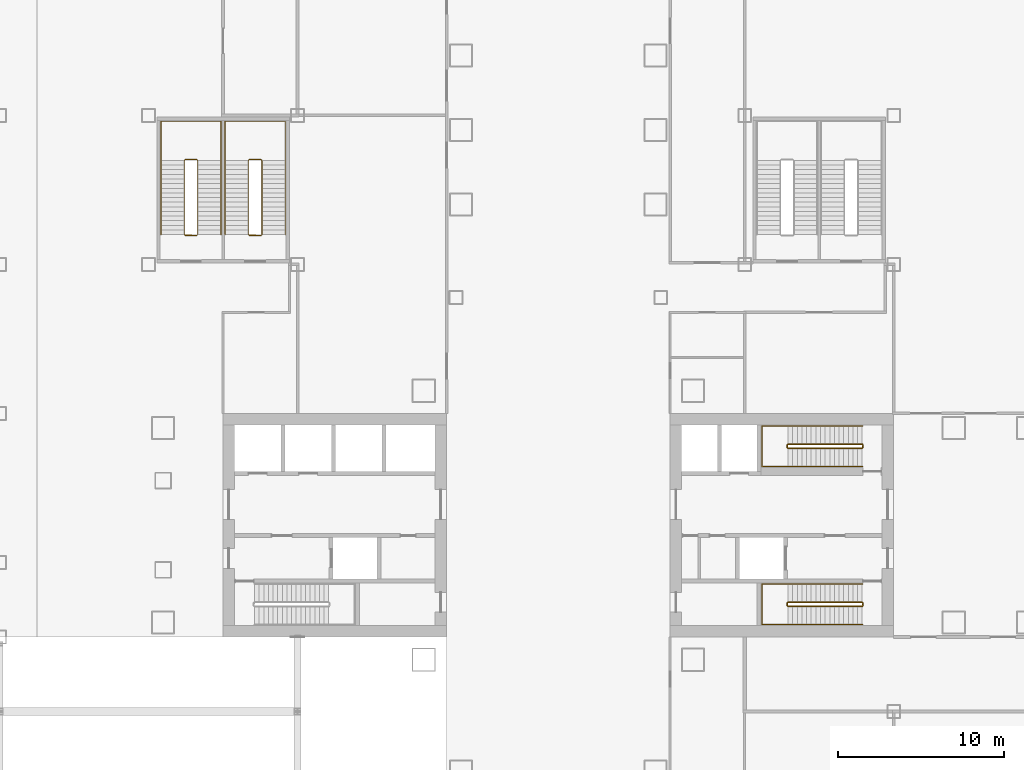
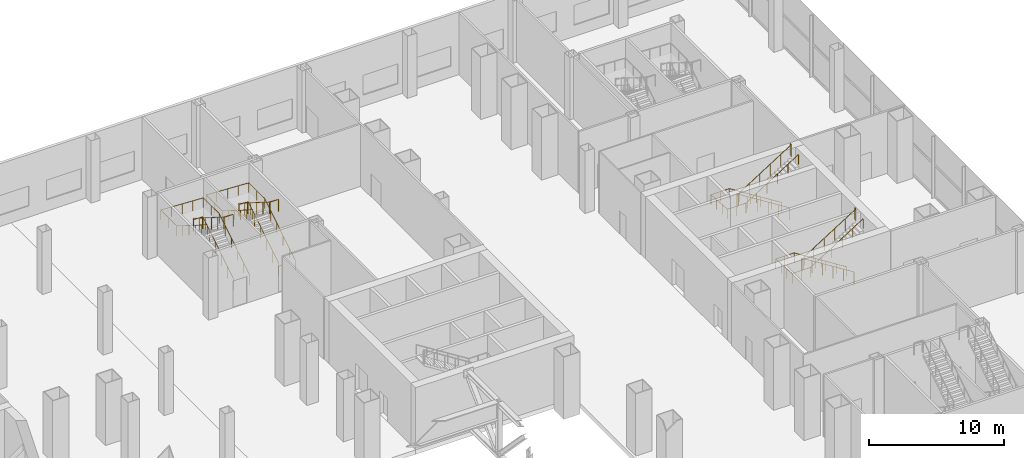
# One storey, part 32 of 33: 8 railings.
"""IFC4 building model written with IfcOpenShell, lengths in metres."""

from ifc_helpers import new_model, si_unit, direction, frame, origin, origin_2d, place, context, subcontext, project, spatial, circle, extrude, material, type_object, element, save


model = new_model("IFC4")

# Units and contexts
model_context = context("Model", 3, precision=1e-05, world=origin(), true_north=direction((0.0, 1.0)))
body_context = subcontext(model_context, "Body", "Model", "MODEL_VIEW")
ifc_project = project(units=[si_unit("LENGTHUNIT", "METRE"), si_unit("AREAUNIT", "SQUARE_METRE"), si_unit("VOLUMEUNIT", "CUBIC_METRE"), si_unit("PLANEANGLEUNIT", "RADIAN"), si_unit("MASSUNIT", "GRAM", prefix="KILO")], contexts=[model_context])

# Site, building, storey
site_placement = place(None, origin())
site = spatial("IfcSite", under=ifc_project, at=site_placement, CompositionType="ELEMENT")
building_placement = place(site_placement, origin())
building = spatial("IfcBuilding", under=site, at=building_placement, Name="Shamsa Quay Exchange Towers", CompositionType="ELEMENT")
storey_placement = place(building_placement, frame((0.0, 0.0, 6.5)))
storey = spatial("IfcBuildingStorey", under=building, at=storey_placement, Name="L01", CompositionType="ELEMENT", Elevation=6.5)

# Railings
ifc_material = material(Name="Stainless steel", Category="steel")
railing_type_1 = type_object("IfcRailingType", Name="STAIR GUARD 1100", PredefinedType="GUARDRAIL", material=ifc_material)
railing_1_placement = place(storey_placement, frame((52.10009765625, -4.64990234375, 0.176513671875)))
element("IfcRailing", 1, at=railing_1_placement, inside=storey, type_object=railing_type_1, Name="L01 ST5 stair guard 1", PredefinedType="GUARDRAIL", context=body_context, shape_type="SweptSolid", body=[
    extrude(circle(Radius=0.02392578125, at=origin_2d()), frame((0.0, 0.0, 1.076171875), z_axis=(-0.845997938375, 0.0, 0.533186166611), x_axis=(0.0, -1.0, 0.0)), (0.0, 0.0, 1.0), 5.29541015625),
    extrude(circle(Radius=0.02392578125, at=origin_2d()), frame((-4.47998046875, 0.0, 3.8994140625), z_axis=(-0.707106781187, -0.707106781187, 0.0), x_axis=(0.707106781187, -0.707106781187, 0.0)), (0.0, 0.0, 1.0), 0.07080078125),
    extrude(circle(Radius=0.02392578125, at=origin_2d()), frame((-4.530029296875, -0.050048828125, 3.8994140625), z_axis=(0.0, -1.0, 0.0), x_axis=(1.0, 0.0, 0.0)), (0.0, 0.0, 1.0), 0.150146484375),
    extrude(circle(Radius=0.02392578125, at=origin_2d()), frame((-4.530029296875, -0.2001953125, 3.8994140625), z_axis=(0.263260079301, -0.261975883792, 0.928473352853), x_axis=(0.705375805398, 0.708833529934, 0.0)), (0.0, 0.0, 1.0), 0.190185546875),
    extrude(circle(Radius=0.02392578125, at=origin_2d()), frame((-4.47998046875, -0.25, 4.076171875), z_axis=(0.845997938375, 0.0, 0.533186166611), x_axis=(0.0, 1.0, 0.0)), (0.0, 0.0, 1.0), 5.29541015625),
    extrude(circle(Radius=0.02392578125, at=origin_2d()), frame((0.0, -0.25, 6.8994140625), z_axis=(0.241699205484, 0.970351222016, 0.0), x_axis=(-0.970351222016, 0.241699205484, 0.0)), (0.0, 0.0, 1.0), 0.2060546875),
    extrude(circle(Radius=0.02392578125, at=origin_2d()), frame((0.0498046875, -0.050048828125, 6.8994140625), z_axis=(0.0, -1.0, 0.0), x_axis=(1.0, 0.0, 0.0)), (0.0, 0.0, 1.0), 0.150146484375),
    extrude(circle(Radius=0.02099609375, at=origin_2d()), origin(), (0.0, 0.0, 1.0), 1.052001953125),
    extrude(circle(Radius=0.02099609375, at=origin_2d()), frame((-0.89599609375, 0.0, 0.564697265625)), (0.0, 0.0, 1.0), 1.052001953125),
    extrude(circle(Radius=0.02099609375, at=origin_2d()), frame((-1.7919921875, 0.0, 1.12939453125)), (0.0, 0.0, 1.0), 1.052001953125),
    extrude(circle(Radius=0.02099609375, at=origin_2d()), frame((-2.68798828125, 0.0, 1.694091796875)), (0.0, 0.0, 1.0), 1.052001953125),
    extrude(circle(Radius=0.02099609375, at=origin_2d()), frame((-3.583984375, 0.0, 2.2587890625)), (0.0, 0.0, 1.0), 1.052001953125),
    extrude(circle(Radius=0.02099609375, at=origin_2d()), frame((-4.47998046875, 0.0, 2.823486328125)), (0.0, 0.0, 1.0), 1.052001953125),
    extrude(circle(Radius=0.02099609375, at=origin_2d()), frame((-4.530029296875, -0.050048828125, 2.823486328125)), (0.0, 0.0, 1.0), 1.052001953125),
    extrude(circle(Radius=0.02099609375, at=origin_2d()), frame((-4.530029296875, -0.2001953125, 2.823486328125)), (0.0, 0.0, 1.0), 1.052001953125),
    extrude(circle(Radius=0.02099609375, at=origin_2d()), frame((-4.47998046875, -0.25, 3.0)), (0.0, 0.0, 1.0), 1.052001953125),
    extrude(circle(Radius=0.02099609375, at=origin_2d()), frame((-3.583984375, -0.25, 3.564697265625)), (0.0, 0.0, 1.0), 1.052001953125),
    extrude(circle(Radius=0.02099609375, at=origin_2d()), frame((-2.68798828125, -0.25, 4.12939453125)), (0.0, 0.0, 1.0), 1.052001953125),
    extrude(circle(Radius=0.02099609375, at=origin_2d()), frame((-1.7919921875, -0.25, 4.694091796875)), (0.0, 0.0, 1.0), 1.052001953125),
    extrude(circle(Radius=0.02099609375, at=origin_2d()), frame((-0.89599609375, -0.25, 5.2587890625)), (0.0, 0.0, 1.0), 1.052001953125),
    extrude(circle(Radius=0.02099609375, at=origin_2d()), frame((0.0, -0.25, 5.823486328125)), (0.0, 0.0, 1.0), 1.052001953125),
    extrude(circle(Radius=0.02099609375, at=origin_2d()), frame((0.0498046875, -0.050048828125, 5.823486328125)), (0.0, 0.0, 1.0), 1.052001953125),
    extrude(circle(Radius=0.02099609375, at=origin_2d()), frame((0.0498046875, -0.2001953125, 5.823486328125)), (0.0, 0.0, 1.0), 1.052001953125),
])
railing_2_placement = place(storey_placement, frame((52.10009765625, 4.89990234375, 0.176513671875)))
element("IfcRailing", 2, at=railing_2_placement, inside=storey, type_object=railing_type_1, Name="L01 ST6 stair guard 1", PredefinedType="GUARDRAIL", context=body_context, shape_type="SweptSolid", body=[
    extrude(circle(Radius=0.02392578125, at=origin_2d()), frame((0.0, 0.0, 1.076171875), z_axis=(-0.845997938375, 0.0, 0.533186166611), x_axis=(0.0, -1.0, 0.0)), (0.0, 0.0, 1.0), 5.29541015625),
    extrude(circle(Radius=0.02392578125, at=origin_2d()), frame((-4.47998046875, 0.0, 3.8994140625), z_axis=(-0.708833529934, -0.705375805398, 0.0), x_axis=(0.705375805398, -0.708833529934, 0.0)), (0.0, 0.0, 1.0), 0.070556640625),
    extrude(circle(Radius=0.02392578125, at=origin_2d()), frame((-4.530029296875, -0.0498046875, 3.8994140625), z_axis=(0.0, -1.0, 0.0), x_axis=(1.0, 0.0, 0.0)), (0.0, 0.0, 1.0), 0.150146484375),
    extrude(circle(Radius=0.02392578125, at=origin_2d()), frame((-4.530029296875, -0.199951171875, 3.8994140625), z_axis=(0.263171338983, -0.263171338983, 0.928160380902), x_axis=(0.707106781187, 0.707106781187, 0.0)), (0.0, 0.0, 1.0), 0.190185546875),
    extrude(circle(Radius=0.02392578125, at=origin_2d()), frame((-4.47998046875, -0.25, 4.076171875), z_axis=(0.845997938375, 0.0, 0.533186166611), x_axis=(0.0, 1.0, 0.0)), (0.0, 0.0, 1.0), 5.29541015625),
    extrude(circle(Radius=0.02392578125, at=origin_2d()), frame((0.0, -0.25, 6.8994140625), z_axis=(0.24142163986, 0.970420317083, 0.0), x_axis=(-0.970420317083, 0.24142163986, 0.0)), (0.0, 0.0, 1.0), 0.206298828125),
    extrude(circle(Radius=0.02392578125, at=origin_2d()), frame((0.0498046875, -0.0498046875, 6.8994140625), z_axis=(0.0, -1.0, 0.0), x_axis=(1.0, 0.0, 0.0)), (0.0, 0.0, 1.0), 0.150146484375),
    extrude(circle(Radius=0.02099609375, at=origin_2d()), origin(), (0.0, 0.0, 1.0), 1.052001953125),
    extrude(circle(Radius=0.02099609375, at=origin_2d()), frame((-0.89599609375, 0.0, 0.564697265625)), (0.0, 0.0, 1.0), 1.052001953125),
    extrude(circle(Radius=0.02099609375, at=origin_2d()), frame((-1.7919921875, 0.0, 1.12939453125)), (0.0, 0.0, 1.0), 1.052001953125),
    extrude(circle(Radius=0.02099609375, at=origin_2d()), frame((-2.68798828125, 0.0, 1.694091796875)), (0.0, 0.0, 1.0), 1.052001953125),
    extrude(circle(Radius=0.02099609375, at=origin_2d()), frame((-3.583984375, 0.0, 2.2587890625)), (0.0, 0.0, 1.0), 1.052001953125),
    extrude(circle(Radius=0.02099609375, at=origin_2d()), frame((-4.47998046875, 0.0, 2.823486328125)), (0.0, 0.0, 1.0), 1.052001953125),
    extrude(circle(Radius=0.02099609375, at=origin_2d()), frame((-4.530029296875, -0.0498046875, 2.823486328125)), (0.0, 0.0, 1.0), 1.052001953125),
    extrude(circle(Radius=0.02099609375, at=origin_2d()), frame((-4.530029296875, -0.199951171875, 2.823486328125)), (0.0, 0.0, 1.0), 1.052001953125),
    extrude(circle(Radius=0.02099609375, at=origin_2d()), frame((-4.47998046875, -0.25, 3.0)), (0.0, 0.0, 1.0), 1.052001953125),
    extrude(circle(Radius=0.02099609375, at=origin_2d()), frame((-3.583984375, -0.25, 3.564697265625)), (0.0, 0.0, 1.0), 1.052001953125),
    extrude(circle(Radius=0.02099609375, at=origin_2d()), frame((-2.68798828125, -0.25, 4.12939453125)), (0.0, 0.0, 1.0), 1.052001953125),
    extrude(circle(Radius=0.02099609375, at=origin_2d()), frame((-1.7919921875, -0.25, 4.694091796875)), (0.0, 0.0, 1.0), 1.052001953125),
    extrude(circle(Radius=0.02099609375, at=origin_2d()), frame((-0.89599609375, -0.25, 5.2587890625)), (0.0, 0.0, 1.0), 1.052001953125),
    extrude(circle(Radius=0.02099609375, at=origin_2d()), frame((0.0, -0.25, 5.823486328125)), (0.0, 0.0, 1.0), 1.052001953125),
    extrude(circle(Radius=0.02099609375, at=origin_2d()), frame((0.0498046875, -0.0498046875, 5.823486328125)), (0.0, 0.0, 1.0), 1.052001953125),
    extrude(circle(Radius=0.02099609375, at=origin_2d()), frame((0.0498046875, -0.199951171875, 5.823486328125)), (0.0, 0.0, 1.0), 1.052001953125),
])
railing_3_placement = place(storey_placement, frame((11.97509765625, 17.550048828125, 0.176513671875)))
element("IfcRailing", 3, at=railing_3_placement, inside=storey, type_object=railing_type_1, Name="L01 PS3A stair guard 1", PredefinedType="GUARDRAIL", context=body_context, shape_type="SweptSolid", body=[
    extrude(circle(Radius=0.02392578125, at=origin_2d()), frame((0.0, 0.0, 1.076171875), z_axis=(0.0, 0.845997938375, 0.533186166611), x_axis=(-1.0, 0.0, 0.0)), (0.0, 0.0, 1.0), 5.29541015625),
    extrude(circle(Radius=0.02392578125, at=origin_2d()), frame((0.0, 4.47998046875, 3.8994140625), z_axis=(-0.707106781187, 0.707106781187, 0.0), x_axis=(-0.707106781187, -0.707106781187, 0.0)), (0.0, 0.0, 1.0), 0.07080078125),
    extrude(circle(Radius=0.02392578125, at=origin_2d()), frame((-0.050048828125, 4.530029296875, 3.8994140625), z_axis=(-1.0, 0.0, 0.0), x_axis=(0.0, -1.0, 0.0)), (0.0, 0.0, 1.0), 0.72509765625),
    extrude(circle(Radius=0.02392578125, at=origin_2d()), frame((-0.775146484375, 4.530029296875, 3.8994140625), z_axis=(-0.263171338983, -0.263171338983, 0.928160380902), x_axis=(0.707106781187, -0.707106781187, 0.0)), (0.0, 0.0, 1.0), 0.190185546875),
    extrude(circle(Radius=0.02392578125, at=origin_2d()), frame((-0.8251953125, 4.47998046875, 4.076171875), z_axis=(0.0, -0.845997938375, 0.533186166611), x_axis=(1.0, 0.0, 0.0)), (0.0, 0.0, 1.0), 5.29541015625),
    extrude(circle(Radius=0.02392578125, at=origin_2d()), frame((-0.8251953125, 0.0, 6.8994140625), z_axis=(0.997922050633, -0.064432762324, 0.0), x_axis=(0.064432762324, 0.997922050633, 0.0)), (0.0, 0.0, 1.0), 0.77685546875),
    extrude(circle(Radius=0.02392578125, at=origin_2d()), frame((-0.050048828125, -0.050048828125, 6.8994140625), z_axis=(-1.0, 0.0, 0.0), x_axis=(0.0, -1.0, 0.0)), (0.0, 0.0, 1.0), 0.72509765625),
    extrude(circle(Radius=0.02099609375, at=origin_2d()), origin(), (0.0, 0.0, 1.0), 1.052001953125),
    extrude(circle(Radius=0.02099609375, at=origin_2d()), frame((0.0, 0.89599609375, 0.564697265625)), (0.0, 0.0, 1.0), 1.052001953125),
    extrude(circle(Radius=0.02099609375, at=origin_2d()), frame((0.0, 1.7919921875, 1.12939453125)), (0.0, 0.0, 1.0), 1.052001953125),
    extrude(circle(Radius=0.02099609375, at=origin_2d()), frame((0.0, 2.68798828125, 1.694091796875)), (0.0, 0.0, 1.0), 1.052001953125),
    extrude(circle(Radius=0.02099609375, at=origin_2d()), frame((0.0, 3.583984375, 2.2587890625)), (0.0, 0.0, 1.0), 1.052001953125),
    extrude(circle(Radius=0.02099609375, at=origin_2d()), frame((0.0, 4.47998046875, 2.823486328125)), (0.0, 0.0, 1.0), 1.052001953125),
    extrude(circle(Radius=0.02099609375, at=origin_2d()), frame((-0.050048828125, 4.530029296875, 2.823486328125)), (0.0, 0.0, 1.0), 1.052001953125),
    extrude(circle(Radius=0.02099609375, at=origin_2d()), frame((-0.775146484375, 4.530029296875, 2.823486328125)), (0.0, 0.0, 1.0), 1.052001953125),
    extrude(circle(Radius=0.02099609375, at=origin_2d()), frame((-0.8251953125, 4.47998046875, 3.0)), (0.0, 0.0, 1.0), 1.052001953125),
    extrude(circle(Radius=0.02099609375, at=origin_2d()), frame((-0.8251953125, 3.583984375, 3.564697265625)), (0.0, 0.0, 1.0), 1.052001953125),
    extrude(circle(Radius=0.02099609375, at=origin_2d()), frame((-0.8251953125, 2.68798828125, 4.12939453125)), (0.0, 0.0, 1.0), 1.052001953125),
    extrude(circle(Radius=0.02099609375, at=origin_2d()), frame((-0.8251953125, 1.7919921875, 4.694091796875)), (0.0, 0.0, 1.0), 1.052001953125),
    extrude(circle(Radius=0.02099609375, at=origin_2d()), frame((-0.8251953125, 0.89599609375, 5.2587890625)), (0.0, 0.0, 1.0), 1.052001953125),
    extrude(circle(Radius=0.02099609375, at=origin_2d()), frame((-0.8251953125, 0.0, 5.823486328125)), (0.0, 0.0, 1.0), 1.052001953125),
    extrude(circle(Radius=0.02099609375, at=origin_2d()), frame((-0.050048828125, -0.050048828125, 5.823486328125)), (0.0, 0.0, 1.0), 1.052001953125),
    extrude(circle(Radius=0.02099609375, at=origin_2d()), frame((-0.775146484375, -0.050048828125, 5.823486328125)), (0.0, 0.0, 1.0), 1.052001953125),
])
railing_4_placement = place(storey_placement, frame((15.85009765625, 17.550048828125, 0.176513671875)))
element("IfcRailing", 4, at=railing_4_placement, inside=storey, type_object=railing_type_1, Name="L01 PS3B stair guard 1", PredefinedType="GUARDRAIL", context=body_context, shape_type="SweptSolid", body=[
    extrude(circle(Radius=0.02392578125, at=origin_2d()), frame((0.0, 0.0, 1.076171875), z_axis=(0.0, 0.845997938375, 0.533186166611), x_axis=(-1.0, 0.0, 0.0)), (0.0, 0.0, 1.0), 5.29541015625),
    extrude(circle(Radius=0.02392578125, at=origin_2d()), frame((0.0, 4.47998046875, 3.8994140625), z_axis=(-0.707106781187, 0.707106781187, 0.0), x_axis=(-0.707106781187, -0.707106781187, 0.0)), (0.0, 0.0, 1.0), 0.07080078125),
    extrude(circle(Radius=0.02392578125, at=origin_2d()), frame((-0.050048828125, 4.530029296875, 3.8994140625), z_axis=(-1.0, 0.0, 0.0), x_axis=(0.0, -1.0, 0.0)), (0.0, 0.0, 1.0), 0.72509765625),
    extrude(circle(Radius=0.02392578125, at=origin_2d()), frame((-0.775146484375, 4.530029296875, 3.8994140625), z_axis=(-0.263171338983, -0.263171338983, 0.928160380902), x_axis=(0.707106781187, -0.707106781187, 0.0)), (0.0, 0.0, 1.0), 0.190185546875),
    extrude(circle(Radius=0.02392578125, at=origin_2d()), frame((-0.8251953125, 4.47998046875, 4.076171875), z_axis=(0.0, -0.845997938375, 0.533186166611), x_axis=(1.0, 0.0, 0.0)), (0.0, 0.0, 1.0), 5.29541015625),
    extrude(circle(Radius=0.02392578125, at=origin_2d()), frame((-0.8251953125, 0.0, 6.8994140625), z_axis=(0.997922050633, -0.064432762324, 0.0), x_axis=(0.064432762324, 0.997922050633, 0.0)), (0.0, 0.0, 1.0), 0.77685546875),
    extrude(circle(Radius=0.02392578125, at=origin_2d()), frame((-0.050048828125, -0.050048828125, 6.8994140625), z_axis=(-1.0, 0.0, 0.0), x_axis=(0.0, -1.0, 0.0)), (0.0, 0.0, 1.0), 0.72509765625),
    extrude(circle(Radius=0.02099609375, at=origin_2d()), origin(), (0.0, 0.0, 1.0), 1.052001953125),
    extrude(circle(Radius=0.02099609375, at=origin_2d()), frame((0.0, 0.89599609375, 0.564697265625)), (0.0, 0.0, 1.0), 1.052001953125),
    extrude(circle(Radius=0.02099609375, at=origin_2d()), frame((0.0, 1.7919921875, 1.12939453125)), (0.0, 0.0, 1.0), 1.052001953125),
    extrude(circle(Radius=0.02099609375, at=origin_2d()), frame((0.0, 2.68798828125, 1.694091796875)), (0.0, 0.0, 1.0), 1.052001953125),
    extrude(circle(Radius=0.02099609375, at=origin_2d()), frame((0.0, 3.583984375, 2.2587890625)), (0.0, 0.0, 1.0), 1.052001953125),
    extrude(circle(Radius=0.02099609375, at=origin_2d()), frame((0.0, 4.47998046875, 2.823486328125)), (0.0, 0.0, 1.0), 1.052001953125),
    extrude(circle(Radius=0.02099609375, at=origin_2d()), frame((-0.050048828125, 4.530029296875, 2.823486328125)), (0.0, 0.0, 1.0), 1.052001953125),
    extrude(circle(Radius=0.02099609375, at=origin_2d()), frame((-0.775146484375, 4.530029296875, 2.823486328125)), (0.0, 0.0, 1.0), 1.052001953125),
    extrude(circle(Radius=0.02099609375, at=origin_2d()), frame((-0.8251953125, 4.47998046875, 3.0)), (0.0, 0.0, 1.0), 1.052001953125),
    extrude(circle(Radius=0.02099609375, at=origin_2d()), frame((-0.8251953125, 3.583984375, 3.564697265625)), (0.0, 0.0, 1.0), 1.052001953125),
    extrude(circle(Radius=0.02099609375, at=origin_2d()), frame((-0.8251953125, 2.68798828125, 4.12939453125)), (0.0, 0.0, 1.0), 1.052001953125),
    extrude(circle(Radius=0.02099609375, at=origin_2d()), frame((-0.8251953125, 1.7919921875, 4.694091796875)), (0.0, 0.0, 1.0), 1.052001953125),
    extrude(circle(Radius=0.02099609375, at=origin_2d()), frame((-0.8251953125, 0.89599609375, 5.2587890625)), (0.0, 0.0, 1.0), 1.052001953125),
    extrude(circle(Radius=0.02099609375, at=origin_2d()), frame((-0.8251953125, 0.0, 5.823486328125)), (0.0, 0.0, 1.0), 1.052001953125),
    extrude(circle(Radius=0.02099609375, at=origin_2d()), frame((-0.050048828125, -0.050048828125, 5.823486328125)), (0.0, 0.0, 1.0), 1.052001953125),
    extrude(circle(Radius=0.02099609375, at=origin_2d()), frame((-0.775146484375, -0.050048828125, 5.823486328125)), (0.0, 0.0, 1.0), 1.052001953125),
])
railing_type_2 = type_object("IfcRailingType", Name="STAIR HANDRAIL 900", PredefinedType="HANDRAIL", material=ifc_material)
railing_5_placement = place(storey_placement, frame((52.10009765625, -3.550048828125, 0.176513671875)))
element("IfcRailing", 5, at=railing_5_placement, inside=storey, type_object=railing_type_2, Name="L01 ST5 stair handrail 1", PredefinedType="HANDRAIL", context=body_context, shape_type="SweptSolid", body=[
    extrude(circle(Radius=0.02392578125, at=origin_2d()), frame((0.0, 0.0, 0.8759765625), z_axis=(-0.845997938375, 0.0, 0.533186166611), x_axis=(0.0, -1.0, 0.0)), (0.0, 0.0, 1.0), 5.29541015625),
    extrude(circle(Radius=0.02392578125, at=origin_2d()), frame((-4.47998046875, 0.0, 3.69921875), z_axis=(-1.0, 0.0, 0.0), x_axis=(0.0, -1.0, 0.0)), (0.0, 0.0, 1.0), 1.570068359375),
    extrude(circle(Radius=0.02392578125, at=origin_2d()), frame((-6.050048828125, 0.0, 3.69921875), z_axis=(0.0, -0.997414615901, 0.071861561265), x_axis=(1.0, 0.0, 0.0)), (0.0, 0.0, 1.0), 2.456298828125),
    extrude(circle(Radius=0.02392578125, at=origin_2d()), frame((-6.050048828125, -2.449951171875, 3.8759765625), z_axis=(1.0, 0.0, 0.0), x_axis=(0.0, 1.0, 0.0)), (0.0, 0.0, 1.0), 1.570068359375),
    extrude(circle(Radius=0.02392578125, at=origin_2d()), frame((-4.47998046875, -2.449951171875, 3.8759765625), z_axis=(0.845997938375, 0.0, 0.533186166611), x_axis=(0.0, 1.0, 0.0)), (0.0, 0.0, 1.0), 5.29541015625),
    extrude(circle(Radius=0.02099609375, at=origin_2d()), origin(), (0.0, 0.0, 1.0), 0.851806640625),
    extrude(circle(Radius=0.02099609375, at=origin_2d()), frame((-0.89599609375, 0.0, 0.564697265625)), (0.0, 0.0, 1.0), 0.851806640625),
    extrude(circle(Radius=0.02099609375, at=origin_2d()), frame((-1.7919921875, 0.0, 1.12939453125)), (0.0, 0.0, 1.0), 0.851806640625),
    extrude(circle(Radius=0.02099609375, at=origin_2d()), frame((-2.68798828125, 0.0, 1.694091796875)), (0.0, 0.0, 1.0), 0.851806640625),
    extrude(circle(Radius=0.02099609375, at=origin_2d()), frame((-3.583984375, 0.0, 2.2587890625)), (0.0, 0.0, 1.0), 0.851806640625),
    extrude(circle(Radius=0.02099609375, at=origin_2d()), frame((-4.47998046875, 0.0, 2.823486328125)), (0.0, 0.0, 1.0), 0.851806640625),
    extrude(circle(Radius=0.02099609375, at=origin_2d()), frame((-5.26513671875, 0.0, 2.823486328125)), (0.0, 0.0, 1.0), 0.851806640625),
    extrude(circle(Radius=0.02099609375, at=origin_2d()), frame((-6.050048828125, 0.0, 2.823486328125)), (0.0, 0.0, 1.0), 0.851806640625),
    extrude(circle(Radius=0.02099609375, at=origin_2d()), frame((-6.050048828125, -0.816650390625, 2.88232421875)), (0.0, 0.0, 1.0), 0.851806640625),
    extrude(circle(Radius=0.02099609375, at=origin_2d()), frame((-6.050048828125, -1.63330078125, 2.941162109375)), (0.0, 0.0, 1.0), 0.851806640625),
    extrude(circle(Radius=0.02099609375, at=origin_2d()), frame((-6.050048828125, -2.449951171875, 3.0)), (0.0, 0.0, 1.0), 0.851806640625),
    extrude(circle(Radius=0.02099609375, at=origin_2d()), frame((-5.26513671875, -2.449951171875, 3.0)), (0.0, 0.0, 1.0), 0.851806640625),
    extrude(circle(Radius=0.02099609375, at=origin_2d()), frame((-4.47998046875, -2.449951171875, 3.0)), (0.0, 0.0, 1.0), 0.851806640625),
    extrude(circle(Radius=0.02099609375, at=origin_2d()), frame((-3.583984375, -2.449951171875, 3.564697265625)), (0.0, 0.0, 1.0), 0.851806640625),
    extrude(circle(Radius=0.02099609375, at=origin_2d()), frame((-2.68798828125, -2.449951171875, 4.12939453125)), (0.0, 0.0, 1.0), 0.851806640625),
    extrude(circle(Radius=0.02099609375, at=origin_2d()), frame((-1.7919921875, -2.449951171875, 4.694091796875)), (0.0, 0.0, 1.0), 0.851806640625),
    extrude(circle(Radius=0.02099609375, at=origin_2d()), frame((-0.89599609375, -2.449951171875, 5.2587890625)), (0.0, 0.0, 1.0), 0.851806640625),
    extrude(circle(Radius=0.02099609375, at=origin_2d()), frame((0.0, -2.449951171875, 5.823486328125)), (0.0, 0.0, 1.0), 0.851806640625),
])
railing_6_placement = place(storey_placement, frame((52.10009765625, 6.0, 0.176513671875)))
element("IfcRailing", 6, at=railing_6_placement, inside=storey, type_object=railing_type_2, Name="L01 ST6 stair handrail 1", PredefinedType="HANDRAIL", context=body_context, shape_type="SweptSolid", body=[
    extrude(circle(Radius=0.02392578125, at=origin_2d()), frame((0.0, 0.0, 0.8759765625), z_axis=(-0.845997938375, 0.0, 0.533186166611), x_axis=(0.0, -1.0, 0.0)), (0.0, 0.0, 1.0), 5.29541015625),
    extrude(circle(Radius=0.02392578125, at=origin_2d()), frame((-4.47998046875, 0.0, 3.69921875), z_axis=(-1.0, 0.0, 0.0), x_axis=(0.0, -1.0, 0.0)), (0.0, 0.0, 1.0), 1.570068359375),
    extrude(circle(Radius=0.02392578125, at=origin_2d()), frame((-6.050048828125, 0.0, 3.69921875), z_axis=(0.0, -0.997414615901, 0.071861561265), x_axis=(1.0, 0.0, 0.0)), (0.0, 0.0, 1.0), 2.456298828125),
    extrude(circle(Radius=0.02392578125, at=origin_2d()), frame((-6.050048828125, -2.449951171875, 3.8759765625), z_axis=(1.0, 0.0, 0.0), x_axis=(0.0, 1.0, 0.0)), (0.0, 0.0, 1.0), 1.570068359375),
    extrude(circle(Radius=0.02392578125, at=origin_2d()), frame((-4.47998046875, -2.449951171875, 3.8759765625), z_axis=(0.845997938375, 0.0, 0.533186166611), x_axis=(0.0, 1.0, 0.0)), (0.0, 0.0, 1.0), 5.29541015625),
    extrude(circle(Radius=0.02099609375, at=origin_2d()), origin(), (0.0, 0.0, 1.0), 0.851806640625),
    extrude(circle(Radius=0.02099609375, at=origin_2d()), frame((-0.89599609375, 0.0, 0.564697265625)), (0.0, 0.0, 1.0), 0.851806640625),
    extrude(circle(Radius=0.02099609375, at=origin_2d()), frame((-1.7919921875, 0.0, 1.12939453125)), (0.0, 0.0, 1.0), 0.851806640625),
    extrude(circle(Radius=0.02099609375, at=origin_2d()), frame((-2.68798828125, 0.0, 1.694091796875)), (0.0, 0.0, 1.0), 0.851806640625),
    extrude(circle(Radius=0.02099609375, at=origin_2d()), frame((-3.583984375, 0.0, 2.2587890625)), (0.0, 0.0, 1.0), 0.851806640625),
    extrude(circle(Radius=0.02099609375, at=origin_2d()), frame((-4.47998046875, 0.0, 2.823486328125)), (0.0, 0.0, 1.0), 0.851806640625),
    extrude(circle(Radius=0.02099609375, at=origin_2d()), frame((-5.26513671875, 0.0, 2.823486328125)), (0.0, 0.0, 1.0), 0.851806640625),
    extrude(circle(Radius=0.02099609375, at=origin_2d()), frame((-6.050048828125, 0.0, 2.823486328125)), (0.0, 0.0, 1.0), 0.851806640625),
    extrude(circle(Radius=0.02099609375, at=origin_2d()), frame((-6.050048828125, -0.816650390625, 2.88232421875)), (0.0, 0.0, 1.0), 0.851806640625),
    extrude(circle(Radius=0.02099609375, at=origin_2d()), frame((-6.050048828125, -1.63330078125, 2.941162109375)), (0.0, 0.0, 1.0), 0.851806640625),
    extrude(circle(Radius=0.02099609375, at=origin_2d()), frame((-6.050048828125, -2.449951171875, 3.0)), (0.0, 0.0, 1.0), 0.851806640625),
    extrude(circle(Radius=0.02099609375, at=origin_2d()), frame((-5.26513671875, -2.449951171875, 3.0)), (0.0, 0.0, 1.0), 0.851806640625),
    extrude(circle(Radius=0.02099609375, at=origin_2d()), frame((-4.47998046875, -2.449951171875, 3.0)), (0.0, 0.0, 1.0), 0.851806640625),
    extrude(circle(Radius=0.02099609375, at=origin_2d()), frame((-3.583984375, -2.449951171875, 3.564697265625)), (0.0, 0.0, 1.0), 0.851806640625),
    extrude(circle(Radius=0.02099609375, at=origin_2d()), frame((-2.68798828125, -2.449951171875, 4.12939453125)), (0.0, 0.0, 1.0), 0.851806640625),
    extrude(circle(Radius=0.02099609375, at=origin_2d()), frame((-1.7919921875, -2.449951171875, 4.694091796875)), (0.0, 0.0, 1.0), 0.851806640625),
    extrude(circle(Radius=0.02099609375, at=origin_2d()), frame((-0.89599609375, -2.449951171875, 5.2587890625)), (0.0, 0.0, 1.0), 0.851806640625),
    extrude(circle(Radius=0.02099609375, at=origin_2d()), frame((0.0, -2.449951171875, 5.823486328125)), (0.0, 0.0, 1.0), 0.851806640625),
])
railing_7_placement = place(storey_placement, frame((13.375, 17.550048828125, 0.176513671875)))
element("IfcRailing", 7, at=railing_7_placement, inside=storey, type_object=railing_type_2, Name="L01 PS3A stair handrail 1", PredefinedType="HANDRAIL", context=body_context, shape_type="SweptSolid", body=[
    extrude(circle(Radius=0.02392578125, at=origin_2d()), frame((0.0, 0.0, 0.8759765625), z_axis=(0.0, 0.845997938375, 0.533186166611), x_axis=(-1.0, 0.0, 0.0)), (0.0, 0.0, 1.0), 5.29541015625),
    extrude(circle(Radius=0.02392578125, at=origin_2d()), frame((0.0, 4.47998046875, 3.69921875), z_axis=(0.0, 1.0, 0.0), x_axis=(-1.0, 0.0, 0.0)), (0.0, 0.0, 1.0), 2.369873046875),
    extrude(circle(Radius=0.02392578125, at=origin_2d()), frame((0.0, 6.849853515625, 3.69921875), z_axis=(-0.998816579144, 0.0, 0.048635801907), x_axis=(0.0, -1.0, 0.0)), (0.0, 0.0, 1.0), 3.62939453125),
    extrude(circle(Radius=0.02392578125, at=origin_2d()), frame((-3.625, 6.849853515625, 3.8759765625), z_axis=(0.0, -1.0, 0.0), x_axis=(1.0, 0.0, 0.0)), (0.0, 0.0, 1.0), 2.369873046875),
    extrude(circle(Radius=0.02392578125, at=origin_2d()), frame((-3.625, 4.47998046875, 3.8759765625), z_axis=(0.0, -0.845997938375, 0.533186166611), x_axis=(1.0, 0.0, 0.0)), (0.0, 0.0, 1.0), 5.29541015625),
    extrude(circle(Radius=0.02099609375, at=origin_2d()), origin(), (0.0, 0.0, 1.0), 0.851806640625),
    extrude(circle(Radius=0.02099609375, at=origin_2d()), frame((0.0, 0.89599609375, 0.564697265625)), (0.0, 0.0, 1.0), 0.851806640625),
    extrude(circle(Radius=0.02099609375, at=origin_2d()), frame((0.0, 1.7919921875, 1.12939453125)), (0.0, 0.0, 1.0), 0.851806640625),
    extrude(circle(Radius=0.02099609375, at=origin_2d()), frame((0.0, 2.68798828125, 1.694091796875)), (0.0, 0.0, 1.0), 0.851806640625),
    extrude(circle(Radius=0.02099609375, at=origin_2d()), frame((0.0, 3.583984375, 2.2587890625)), (0.0, 0.0, 1.0), 0.851806640625),
    extrude(circle(Radius=0.02099609375, at=origin_2d()), frame((0.0, 4.47998046875, 2.823486328125)), (0.0, 0.0, 1.0), 0.851806640625),
    extrude(circle(Radius=0.02099609375, at=origin_2d()), frame((0.0, 5.6650390625, 2.823486328125)), (0.0, 0.0, 1.0), 0.851806640625),
    extrude(circle(Radius=0.02099609375, at=origin_2d()), frame((0.0, 6.849853515625, 2.823486328125)), (0.0, 0.0, 1.0), 0.851806640625),
    extrude(circle(Radius=0.02099609375, at=origin_2d()), frame((-0.90625, 6.849853515625, 2.86767578125)), (0.0, 0.0, 1.0), 0.851806640625),
    extrude(circle(Radius=0.02099609375, at=origin_2d()), frame((-1.8125, 6.849853515625, 2.91162109375)), (0.0, 0.0, 1.0), 0.851806640625),
    extrude(circle(Radius=0.02099609375, at=origin_2d()), frame((-2.71875, 6.849853515625, 2.955810546875)), (0.0, 0.0, 1.0), 0.851806640625),
    extrude(circle(Radius=0.02099609375, at=origin_2d()), frame((-3.625, 6.849853515625, 3.0)), (0.0, 0.0, 1.0), 0.851806640625),
    extrude(circle(Radius=0.02099609375, at=origin_2d()), frame((-3.625, 5.6650390625, 3.0)), (0.0, 0.0, 1.0), 0.851806640625),
    extrude(circle(Radius=0.02099609375, at=origin_2d()), frame((-3.625, 4.47998046875, 3.0)), (0.0, 0.0, 1.0), 0.851806640625),
    extrude(circle(Radius=0.02099609375, at=origin_2d()), frame((-3.625, 3.583984375, 3.564697265625)), (0.0, 0.0, 1.0), 0.851806640625),
    extrude(circle(Radius=0.02099609375, at=origin_2d()), frame((-3.625, 2.68798828125, 4.12939453125)), (0.0, 0.0, 1.0), 0.851806640625),
    extrude(circle(Radius=0.02099609375, at=origin_2d()), frame((-3.625, 1.7919921875, 4.694091796875)), (0.0, 0.0, 1.0), 0.851806640625),
    extrude(circle(Radius=0.02099609375, at=origin_2d()), frame((-3.625, 0.89599609375, 5.2587890625)), (0.0, 0.0, 1.0), 0.851806640625),
    extrude(circle(Radius=0.02099609375, at=origin_2d()), frame((-3.625, 0.0, 5.823486328125)), (0.0, 0.0, 1.0), 0.851806640625),
])
railing_8_placement = place(storey_placement, frame((17.25, 17.550048828125, 0.176513671875)))
element("IfcRailing", 8, at=railing_8_placement, inside=storey, type_object=railing_type_2, Name="L01 PS3B stair handrail 1", PredefinedType="HANDRAIL", context=body_context, shape_type="SweptSolid", body=[
    extrude(circle(Radius=0.02392578125, at=origin_2d()), frame((0.0, 0.0, 0.8759765625), z_axis=(0.0, 0.845997938375, 0.533186166611), x_axis=(-1.0, 0.0, 0.0)), (0.0, 0.0, 1.0), 5.29541015625),
    extrude(circle(Radius=0.02392578125, at=origin_2d()), frame((0.0, 4.47998046875, 3.69921875), z_axis=(0.0, 1.0, 0.0), x_axis=(-1.0, 0.0, 0.0)), (0.0, 0.0, 1.0), 2.369873046875),
    extrude(circle(Radius=0.02392578125, at=origin_2d()), frame((0.0, 6.849853515625, 3.69921875), z_axis=(-0.998816579144, 0.0, 0.048635801907), x_axis=(0.0, -1.0, 0.0)), (0.0, 0.0, 1.0), 3.62939453125),
    extrude(circle(Radius=0.02392578125, at=origin_2d()), frame((-3.625, 6.849853515625, 3.8759765625), z_axis=(0.0, -1.0, 0.0), x_axis=(1.0, 0.0, 0.0)), (0.0, 0.0, 1.0), 2.369873046875),
    extrude(circle(Radius=0.02392578125, at=origin_2d()), frame((-3.625, 4.47998046875, 3.8759765625), z_axis=(0.0, -0.845997938375, 0.533186166611), x_axis=(1.0, 0.0, 0.0)), (0.0, 0.0, 1.0), 5.29541015625),
    extrude(circle(Radius=0.02099609375, at=origin_2d()), origin(), (0.0, 0.0, 1.0), 0.851806640625),
    extrude(circle(Radius=0.02099609375, at=origin_2d()), frame((0.0, 0.89599609375, 0.564697265625)), (0.0, 0.0, 1.0), 0.851806640625),
    extrude(circle(Radius=0.02099609375, at=origin_2d()), frame((0.0, 1.7919921875, 1.12939453125)), (0.0, 0.0, 1.0), 0.851806640625),
    extrude(circle(Radius=0.02099609375, at=origin_2d()), frame((0.0, 2.68798828125, 1.694091796875)), (0.0, 0.0, 1.0), 0.851806640625),
    extrude(circle(Radius=0.02099609375, at=origin_2d()), frame((0.0, 3.583984375, 2.2587890625)), (0.0, 0.0, 1.0), 0.851806640625),
    extrude(circle(Radius=0.02099609375, at=origin_2d()), frame((0.0, 4.47998046875, 2.823486328125)), (0.0, 0.0, 1.0), 0.851806640625),
    extrude(circle(Radius=0.02099609375, at=origin_2d()), frame((0.0, 5.6650390625, 2.823486328125)), (0.0, 0.0, 1.0), 0.851806640625),
    extrude(circle(Radius=0.02099609375, at=origin_2d()), frame((0.0, 6.849853515625, 2.823486328125)), (0.0, 0.0, 1.0), 0.851806640625),
    extrude(circle(Radius=0.02099609375, at=origin_2d()), frame((-0.90625, 6.849853515625, 2.86767578125)), (0.0, 0.0, 1.0), 0.851806640625),
    extrude(circle(Radius=0.02099609375, at=origin_2d()), frame((-1.8125, 6.849853515625, 2.91162109375)), (0.0, 0.0, 1.0), 0.851806640625),
    extrude(circle(Radius=0.02099609375, at=origin_2d()), frame((-2.71875, 6.849853515625, 2.955810546875)), (0.0, 0.0, 1.0), 0.851806640625),
    extrude(circle(Radius=0.02099609375, at=origin_2d()), frame((-3.625, 6.849853515625, 3.0)), (0.0, 0.0, 1.0), 0.851806640625),
    extrude(circle(Radius=0.02099609375, at=origin_2d()), frame((-3.625, 5.6650390625, 3.0)), (0.0, 0.0, 1.0), 0.851806640625),
    extrude(circle(Radius=0.02099609375, at=origin_2d()), frame((-3.625, 4.47998046875, 3.0)), (0.0, 0.0, 1.0), 0.851806640625),
    extrude(circle(Radius=0.02099609375, at=origin_2d()), frame((-3.625, 3.583984375, 3.564697265625)), (0.0, 0.0, 1.0), 0.851806640625),
    extrude(circle(Radius=0.02099609375, at=origin_2d()), frame((-3.625, 2.68798828125, 4.12939453125)), (0.0, 0.0, 1.0), 0.851806640625),
    extrude(circle(Radius=0.02099609375, at=origin_2d()), frame((-3.625, 1.7919921875, 4.694091796875)), (0.0, 0.0, 1.0), 0.851806640625),
    extrude(circle(Radius=0.02099609375, at=origin_2d()), frame((-3.625, 0.89599609375, 5.2587890625)), (0.0, 0.0, 1.0), 0.851806640625),
    extrude(circle(Radius=0.02099609375, at=origin_2d()), frame((-3.625, 0.0, 5.823486328125)), (0.0, 0.0, 1.0), 0.851806640625),
])

save(model, "model.ifc")
